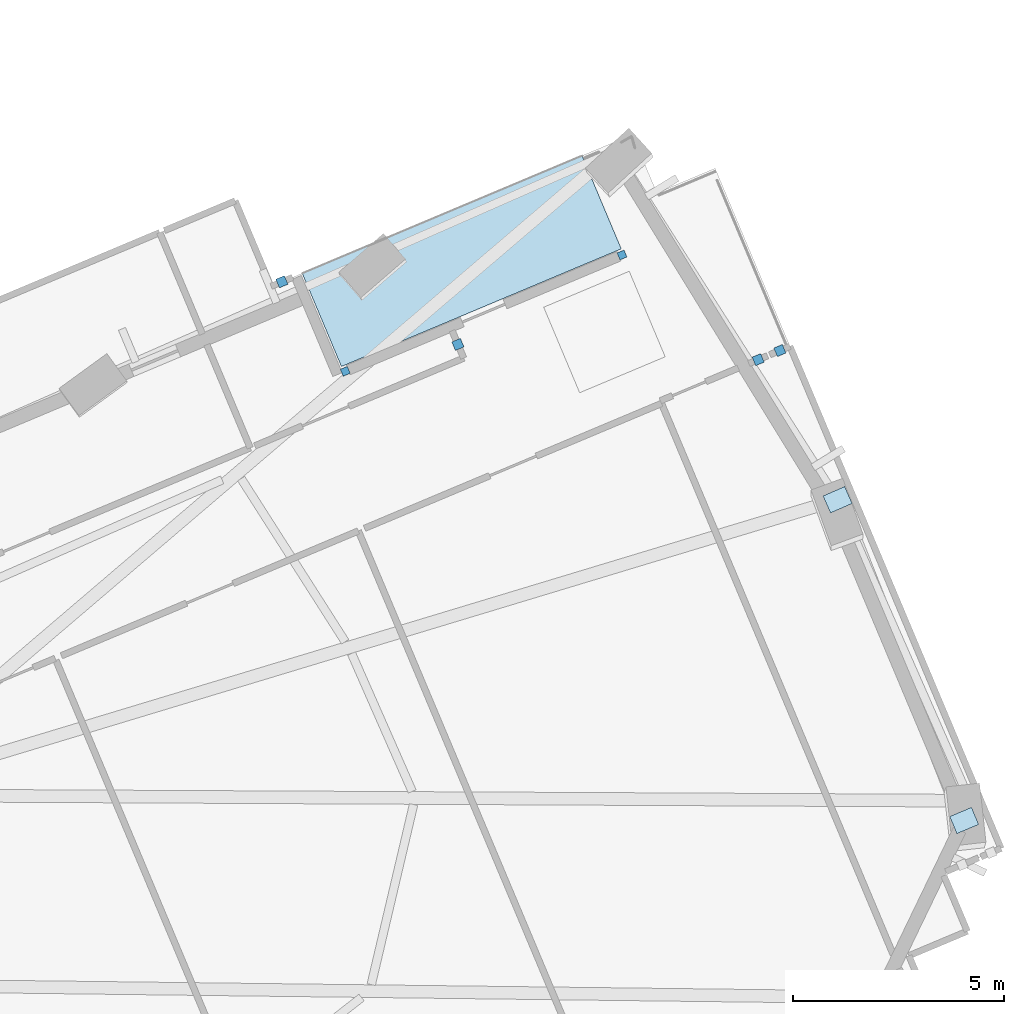
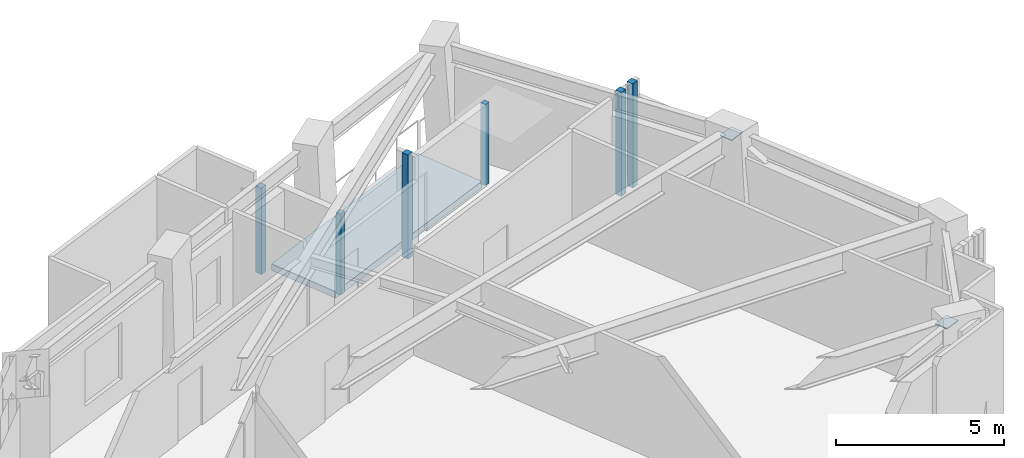
# One storey, part 9 of 18: 8 plates, 1 slab.
"""IFC4 building model written with IfcOpenShell, lengths in metres."""

from ifc_helpers import new_model, si_unit, direction, frame, origin, origin_2d, place, context, subcontext, project, spatial, polyline, rectangle, outline, extrude, material, layer, layer_set, type_object, element, save


model = new_model("IFC4")

# Units and contexts
model_context = context("Model", 3, precision=1e-05, world=origin(), true_north=direction((0.0, 1.0)))
body_context = subcontext(model_context, "Body", "Model", "MODEL_VIEW")
ifc_project = project(units=[si_unit("LENGTHUNIT", "METRE"), si_unit("AREAUNIT", "SQUARE_METRE"), si_unit("VOLUMEUNIT", "CUBIC_METRE"), si_unit("PLANEANGLEUNIT", "RADIAN"), si_unit("MASSUNIT", "GRAM", prefix="KILO")], contexts=[model_context])

# Site, building, storey
site_placement = place(None, origin())
site = spatial("IfcSite", under=ifc_project, at=site_placement, CompositionType="ELEMENT")
building_placement = place(site_placement, origin())
building = spatial("IfcBuilding", under=site, at=building_placement, Name="Gaonmaruhae Medical Tower", CompositionType="ELEMENT")
storey_placement = place(building_placement, frame((0.0, 0.0, 120.39990234375)))
storey = spatial("IfcBuildingStorey", under=building, at=storey_placement, Name="L28", CompositionType="ELEMENT", Elevation=120.39990234375)

# Plates
ifc_material_1 = material(Name="Steel HSA650 (650 MPa)", Category="steel")
ifc_layer_1 = layer(ifc_material_1, 0.028076171875)
ifc_layer_set_1 = layer_set([ifc_layer_1], Name="Steel HSA650 (650 MPa)")
plate_type_1 = type_object("IfcPlateType", Name="GP-02 Tube Brace End Cap Gusset Plate", PredefinedType="USERDEFINED", material=ifc_layer_set_1)
for number, where, z_axis, x_axis, name in (
    (1, (61.784912109375, 16.2001953125, 0.23583984375), (0.0, 0.0, 1.0), (0.921863151589, 0.387515586452, 0.0), "L28 Gusset Cap Plate PLT-L28-PBR-E01A"),
    (2, (58.7822265625, 23.80810546875, 3.51611328125), (0.0, 0.0, 1.0), (0.915311479119, 0.402746689859, 0.0), "L28 Gusset Cap Plate PLT-L28-PBR-E01B"),
):
    element("IfcPlate", number, at=place(storey_placement, frame(where, z_axis=z_axis, x_axis=x_axis)), inside=storey, type_object=plate_type_1, Name=name, ObjectType="GUSSET_PLATE", PredefinedType="USERDEFINED", context=body_context, shape_type="SweptSolid", body=[
        extrude(rectangle(XDim=0.56005859375, YDim=0.43994140625, at=origin_2d()), origin(), (0.0, 0.0, 1.0), 0.028076171875),
    ])
ifc_material_2 = material(Name="Anodised aluminium 6063-T6", Category="aluminium")
ifc_layer_2 = layer(ifc_material_2, 0.011962890625)
ifc_layer_set_2 = layer_set([ifc_layer_2], Name="Anodised aluminium 6063-T6")
plate_type_2 = type_object("IfcPlateType", Name="PP-01 Interior Partition Corner Stiffener Plate", PredefinedType="SHEET", material=ifc_layer_set_2)
for number, where, z_axis, x_axis, name in (
    (3, (47.105224609375, 26.85400390625, 0.0), (0.0, 0.0, 1.0), (0.921863151589, 0.387515586452, 0.0), "L28 Partition End Jamb Post Plate PLT-L28-ENDP-TERB-0"),
    (4, (53.6689453125, 29.613037109375, 0.0), (0.0, 0.0, 1.0), (0.921863151589, 0.387515586452, 0.0), "L28 Partition End Jamb Post Plate PLT-L28-ENDP-TERB-1"),
):
    element("IfcPlate", number, at=place(storey_placement, frame(where, z_axis=z_axis, x_axis=x_axis)), inside=storey, type_object=plate_type_2, Name=name, PredefinedType="SHEET", context=body_context, shape_type="SweptSolid", body=[
        extrude(rectangle(XDim=0.179931640625, YDim=0.179931640625, at=origin_2d()), origin(), (0.0, 0.0, 1.0), 2.945068359375),
    ])
plate_1_placement = place(storey_placement, frame((49.777099609375, 27.491943359375, 0.0), z_axis=(0.0, 0.0, 1.0), x_axis=(0.388432498732, -0.921477180363, 0.0)))
element("IfcPlate", 5, at=plate_1_placement, inside=storey, type_object=plate_type_2, Name="L28 Partition Corner Stiffener Plate PLT-L28-JGP-PW076", PredefinedType="SHEET", context=body_context, shape_type="SweptSolid", body=[
    extrude(rectangle(XDim=0.219970703125, YDim=0.219970703125, at=origin_2d()), origin(), (0.0, 0.0, 1.0), 3.780029296875),
])
plate_2_placement = place(storey_placement, frame((45.60205078125, 28.9775390625, 0.0), z_axis=(0.0, 0.0, 1.0), x_axis=(0.921463620949, 0.388464664116, 0.0)))
element("IfcPlate", 6, at=plate_2_placement, inside=storey, type_object=plate_type_2, Name="L28 Partition Corner Stiffener Plate PLT-L28-JGP-PW080", PredefinedType="SHEET", context=body_context, shape_type="SweptSolid", body=[
    extrude(rectangle(XDim=0.219970703125, YDim=0.219970703125, at=origin_2d()), origin(), (0.0, 0.0, 1.0), 3.14501953125),
])
for number, where, z_axis, x_axis, name in (
    (7, (56.8984375, 27.130615234375, 0.0), (0.0, 0.0, 1.0), (0.922146967645, 0.386839721413, 0.0), "L28 Partition Corner Stiffener Plate PLT-L28-JGP-PW099"),
    (8, (57.41357421875, 27.346923828125, 0.0), (0.0, 0.0, 1.0), (0.92141615416, 0.388577239236, 0.0), "L28 Partition Corner Stiffener Plate PLT-L28-JGP-PW105"),
):
    element("IfcPlate", number, at=place(storey_placement, frame(where, z_axis=z_axis, x_axis=x_axis)), inside=storey, type_object=plate_type_2, Name=name, PredefinedType="SHEET", context=body_context, shape_type="SweptSolid", body=[
        extrude(rectangle(XDim=0.219970703125, YDim=0.219970703125, at=origin_2d()), origin(), (0.0, 0.0, 1.0), 3.780029296875),
    ])

# Slab
ifc_material_3 = material(Name="Concrete C40/50", Category="concrete")
ifc_layer_3 = layer(ifc_material_3, 0.239990234375)
ifc_layer_set_3 = layer_set([ifc_layer_3], Name="Concrete C40/50")
slab_type = type_object("IfcSlabType", Name="TS-240 Sky Garden & Recovery Terrace Slab", PredefinedType="FLOOR", material=ifc_layer_set_3)
slab_placement = place(storey_placement, frame((0.0, 0.0, -0.239990234375)))
element("IfcSlab", 9, at=slab_placement, inside=storey, type_object=slab_type, Name="L28 Outdoor Recovery Terrace Slab", PredefinedType="FLOOR", context=body_context, shape_type="SweptSolid", body=[
    extrude(outline(polyline([(47.01416015625, 26.967529296875), (53.651611328125, 29.757568359375), (52.721435546875, 31.97021484375), (46.084228515625, 29.179931640625), (47.01416015625, 26.967529296875)])), origin(), (0.0, 0.0, 1.0), 0.239990234375),
])

save(model, "model.ifc")
